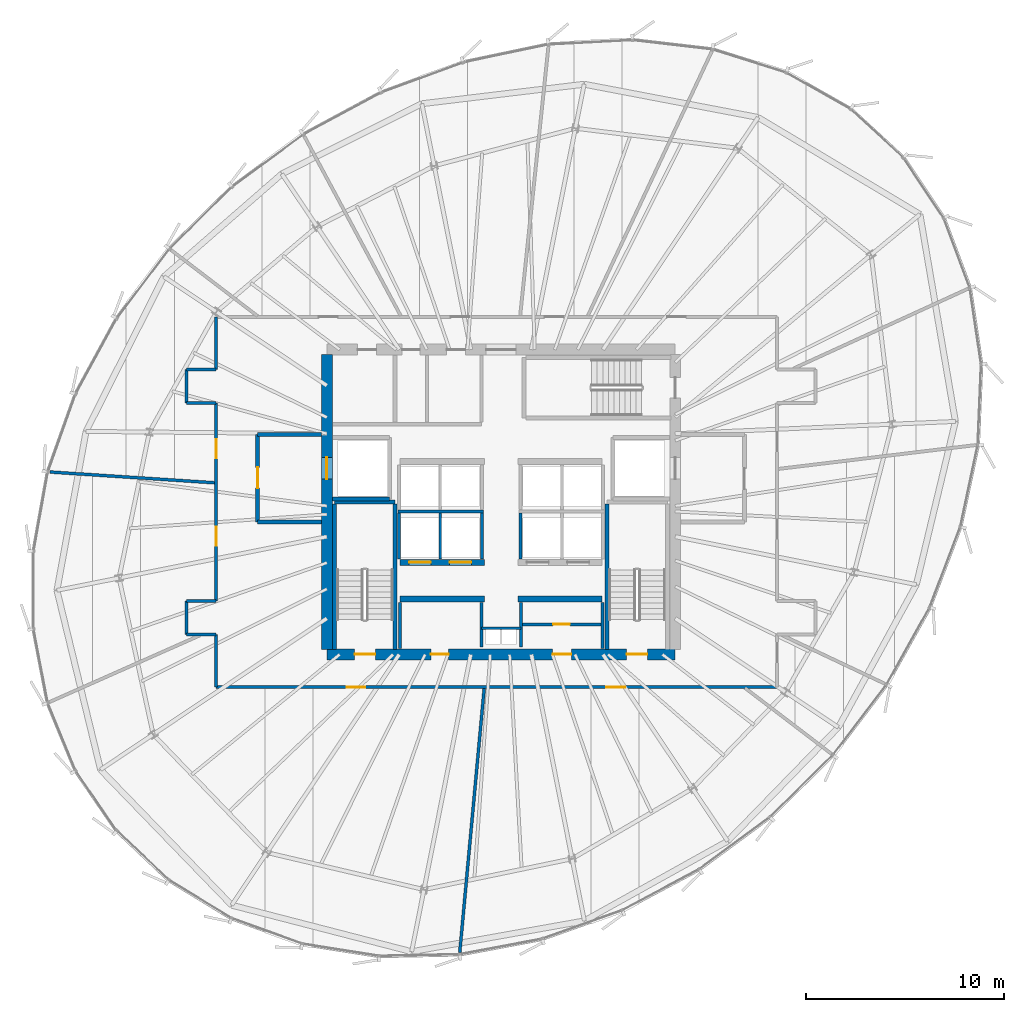
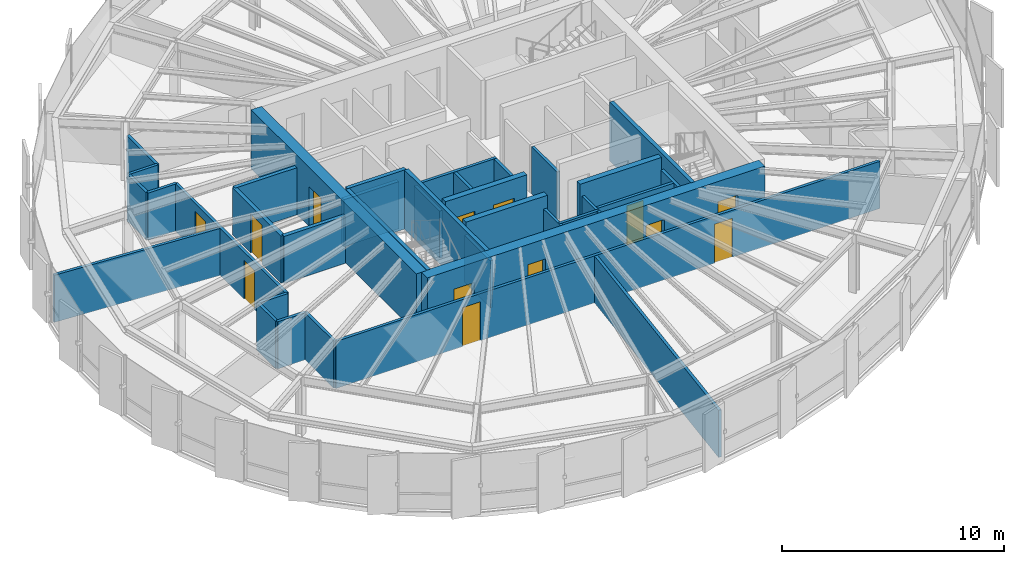
# One storey, part 31 of 36: 36 walls, 13 doors, 13 openings.
"""IFC4 building model written with IfcOpenShell, lengths in metres."""

from ifc_helpers import new_model, si_unit, direction, frame, frame_2d, origin, place, context, subcontext, project, spatial, rectangle, extrude, source, transform, mapped, material, layer, layer_set, type_object, element, fill, save


model = new_model("IFC4")

# Units and contexts
model_context = context("Model", 3, precision=1e-05, world=origin(), true_north=direction((0.0, 1.0)))
body_context = subcontext(model_context, "Body", "Model", "MODEL_VIEW")
ifc_project = project(units=[si_unit("LENGTHUNIT", "METRE"), si_unit("AREAUNIT", "SQUARE_METRE"), si_unit("VOLUMEUNIT", "CUBIC_METRE"), si_unit("PLANEANGLEUNIT", "RADIAN"), si_unit("MASSUNIT", "GRAM", prefix="KILO"), si_unit("THERMODYNAMICTEMPERATUREUNIT", "KELVIN")], contexts=[model_context])

# Site, building, storey
site_placement = place(None, origin())
site = spatial("IfcSite", under=ifc_project, at=site_placement, CompositionType="ELEMENT")
building_placement = place(site_placement, origin())
building = spatial("IfcBuilding", under=site, at=building_placement, Name="Kethvar Cultural Tower", CompositionType="ELEMENT")
storey_placement = place(building_placement, frame((0.0, 0.0, 197.39990234375)))
storey = spatial("IfcBuildingStorey", under=building, at=storey_placement, Name="L51", CompositionType="ELEMENT", Elevation=197.39990234375)

# Wall, openings, doors
ifc_material_1 = material(Name="Concrete C60/75", Category="concrete")
ifc_layer_1 = layer(ifc_material_1, 0.550048828125, Name="Concrete C60/75", Category="concrete")
ifc_layer_set_1 = layer_set([ifc_layer_1], Name="Concrete C60/75 (550 mm)")
wall_type_1 = type_object("IfcWallType", Name="WL-CORE-550", PredefinedType="SHEAR", material=ifc_layer_set_1)
wall_1_placement = place(storey_placement, frame((38.0, 20.10009765625, 0.0), z_axis=(0.0, 0.0, 1.0), x_axis=(1.0, 0.0, 0.0)))
wall_1 = element("IfcWall", 1, at=wall_1_placement, inside=storey, type_object=wall_type_1, Name="L51 Core Shear Wall S", PredefinedType="SHEAR", context=body_context, shape_type="SweptSolid", body=[
    extrude(rectangle(XDim=17.60009765625, YDim=0.550048828125, at=frame_2d((8.800048828125, 0.0))), origin(), (0.0, 0.0, 1.0), 3.260009765625),
])
opening_1_placement = place(wall_1_placement, frame((1.39990234375, 0.0, 0.0)))
opening_1 = element("IfcOpeningElement", 2, at=opening_1_placement, cuts=wall_1, Name="Opening D-L51-S1", PredefinedType="OPENING", context=body_context, shape_type="SweptSolid", body=[
    extrude(rectangle(XDim=1.050048828125, YDim=2.14990234375, at=frame_2d((0.52490234375, 1.074951171875))), frame((0.0, 0.284912109375, 0.0), z_axis=(0.0, -1.0, 0.0), x_axis=(1.0, 0.0, 0.0)), (0.0, 0.0, 1.0), 0.570068359375),
])
opening_2_placement = place(wall_1_placement, frame((15.14990234375, 0.0, 0.0)))
opening_2 = element("IfcOpeningElement", 3, at=opening_2_placement, cuts=wall_1, Name="Opening D-L51-ST2", PredefinedType="OPENING", context=body_context, shape_type="SweptSolid", body=[
    extrude(rectangle(XDim=1.050048828125, YDim=2.14990234375, at=frame_2d((0.52490234375, 1.074951171875))), frame((0.0, 0.284912109375, 0.0), z_axis=(0.0, -1.0, 0.0), x_axis=(1.0, 0.0, 0.0)), (0.0, 0.0, 1.0), 0.570068359375),
])
opening_3_placement = place(wall_1_placement, frame((5.25, 0.0, 0.0)))
opening_3 = element("IfcOpeningElement", 4, at=opening_3_placement, cuts=wall_1, Name="Opening D-L51-V1", PredefinedType="OPENING", context=body_context, shape_type="SweptSolid", body=[
    extrude(rectangle(XDim=0.89990234375, YDim=2.14990234375, at=frame_2d((0.449951171875, 1.074951171875))), frame((0.0, 0.284912109375, 0.0), z_axis=(0.0, -1.0, 0.0), x_axis=(1.0, 0.0, 0.0)), (0.0, 0.0, 1.0), 0.570068359375),
])
opening_4_placement = place(wall_1_placement, frame((11.39990234375, 0.0, 0.0)))
opening_4 = element("IfcOpeningElement", 5, at=opening_4_placement, cuts=wall_1, Name="Opening D-L51-V2", PredefinedType="OPENING", context=body_context, shape_type="SweptSolid", body=[
    extrude(rectangle(XDim=0.949951171875, YDim=2.14990234375, at=frame_2d((0.47509765625, 1.074951171875))), frame((0.0, 0.284912109375, 0.0), z_axis=(0.0, -1.0, 0.0), x_axis=(1.0, 0.0, 0.0)), (0.0, 0.0, 1.0), 0.570068359375),
])
ifc_material_2 = material(Name="Steel S355J2", Category="steel")
door_type_1 = type_object("IfcDoorType", Name="DR-FD60-1050", OperationType="NOTDEFINED", PredefinedType="DOOR", material=ifc_material_2)
shared_shape_1 = source(origin(), body_context, "Body", "SweptSolid", [
    extrude(rectangle(XDim=1.050048828125, YDim=2.14990234375, at=frame_2d((0.52490234375, 1.074951171875))), frame((0.0, 0.02490234375, 0.0), z_axis=(0.0, -1.0, 0.0), x_axis=(1.0, 0.0, 0.0)), (0.0, 0.0, 1.0), 0.050048828125),
])
door_1_placement = place(opening_1_placement, origin())
door_1 = element("IfcDoor", 6, at=door_1_placement, inside=storey, type_object=door_type_1, Name="L51 Exit Stair 1 Door", OperationType="SINGLE_SWING_LEFT", OverallHeight=2.14990234375, OverallWidth=1.050048828125, PredefinedType="DOOR", context=body_context, shape_type="MappedRepresentation", body=[
    mapped(shared_shape_1, transform((0.0, 0.0, 0.0), scale=1.0)),
])
fill(opening_1, door_1)
door_2_placement = place(opening_2_placement, origin())
door_2 = element("IfcDoor", 7, at=door_2_placement, inside=storey, type_object=door_type_1, Name="L51 Exit Stair 2 Door", OperationType="SINGLE_SWING_RIGHT", OverallHeight=2.14990234375, OverallWidth=1.050048828125, PredefinedType="DOOR", context=body_context, shape_type="MappedRepresentation", body=[
    mapped(shared_shape_1, transform((0.0, 0.0, 0.0), scale=1.0)),
])
fill(opening_2, door_2)
ifc_material_3 = material(Name="Architectural Oak Timber", Category="wood")
door_type_2 = type_object("IfcDoorType", Name="DR-FD30-950", OperationType="NOTDEFINED", PredefinedType="DOOR", material=ifc_material_3)
shared_shape_2 = source(origin(), body_context, "Body", "SweptSolid", [
    extrude(rectangle(XDim=0.949951171875, YDim=2.14990234375, at=frame_2d((0.47509765625, 1.074951171875))), frame((0.0, 0.02490234375, 0.0), z_axis=(0.0, -1.0, 0.0), x_axis=(1.0, 0.0, 0.0)), (0.0, 0.0, 1.0), 0.050048828125),
])
door_3_placement = place(opening_4_placement, origin())
door_3 = element("IfcDoor", 8, at=door_3_placement, inside=storey, type_object=door_type_2, Name="L51 Bindery Supply Door", OperationType="SINGLE_SWING_RIGHT", OverallHeight=2.14990234375, OverallWidth=0.949951171875, PredefinedType="DOOR", context=body_context, shape_type="MappedRepresentation", body=[
    mapped(shared_shape_2, transform((0.0, 0.0, 0.0), scale=1.0)),
])
fill(opening_4, door_3)
door_type_3 = type_object("IfcDoorType", Name="DR-FD30-900", OperationType="NOTDEFINED", PredefinedType="DOOR", material=ifc_material_3)
shared_shape_3 = source(origin(), body_context, "Body", "SweptSolid", [
    extrude(rectangle(XDim=0.89990234375, YDim=2.14990234375, at=frame_2d((0.449951171875, 1.074951171875))), frame((0.0, 0.02490234375, 0.0), z_axis=(0.0, -1.0, 0.0), x_axis=(1.0, 0.0, 0.0)), (0.0, 0.0, 1.0), 0.050048828125),
])
door_4_placement = place(opening_3_placement, origin())
door_4 = element("IfcDoor", 9, at=door_4_placement, inside=storey, type_object=door_type_3, Name="L51 Folio Vault Door", OperationType="SINGLE_SWING_LEFT", OverallHeight=2.14990234375, OverallWidth=0.89990234375, PredefinedType="DOOR", context=body_context, shape_type="MappedRepresentation", body=[
    mapped(shared_shape_3, transform((0.0, 0.0, 0.0), scale=1.0)),
])
fill(opening_3, door_4)

# Wall, opening, door
wall_2_placement = place(storey_placement, frame((38.0, 35.260009765625, 0.0), z_axis=(0.0, 0.0, 1.0), x_axis=(0.0, -1.0, 0.0)))
wall_2 = element("IfcWall", 10, at=wall_2_placement, inside=storey, type_object=wall_type_1, Name="L51 Core Shear Wall W", PredefinedType="SHEAR", context=body_context, shape_type="SweptSolid", body=[
    extrude(rectangle(XDim=14.919921875, YDim=0.550048828125, at=frame_2d((7.4599609375, 0.0))), origin(), (0.0, 0.0, 1.0), 3.260009765625),
])
opening_5_placement = place(wall_2_placement, frame((5.2099609375, 0.0, 0.0)))
opening_5 = element("IfcOpeningElement", 11, at=opening_5_placement, cuts=wall_2, Name="Opening LD-1", PredefinedType="OPENING", context=body_context, shape_type="SweptSolid", body=[
    extrude(rectangle(XDim=1.10009765625, YDim=2.199951171875, at=frame_2d((0.550048828125, 1.10009765625))), frame((0.0, 0.284912109375, 0.0), z_axis=(0.0, -1.0, 0.0), x_axis=(1.0, 0.0, 0.0)), (0.0, 0.0, 1.0), 0.570068359375),
])
door_type_4 = type_object("IfcDoorType", Name="DR-LIFT-SLIDE-1100", OperationType="NOTDEFINED", PredefinedType="DOOR", material=ifc_material_2)
shared_shape_4 = source(origin(), body_context, "Body", "SweptSolid", [
    extrude(rectangle(XDim=1.10009765625, YDim=2.199951171875, at=frame_2d((0.550048828125, 1.10009765625))), frame((0.0, 0.02490234375, 0.0), z_axis=(0.0, -1.0, 0.0), x_axis=(1.0, 0.0, 0.0)), (0.0, 0.0, 1.0), 0.050048828125),
])
door_5_placement = place(opening_5_placement, origin())
door_5 = element("IfcDoor", 12, at=door_5_placement, inside=storey, type_object=door_type_4, Name="L51 Firefighting Lift Landing Door FFL-01", OperationType="SLIDING_TO_LEFT", OverallHeight=2.199951171875, OverallWidth=1.10009765625, PredefinedType="DOOR", context=body_context, shape_type="MappedRepresentation", body=[
    mapped(shared_shape_4, transform((0.0, 0.0, 0.0), scale=1.0)),
])
fill(opening_5, door_5)

# Walls
ifc_material_4 = material(Name="Gypsum Fireboard Partition")
ifc_layer_2 = layer(ifc_material_4, 0.14990234375, Name="Gypsum Fireboard Partition")
ifc_layer_set_2 = layer_set([ifc_layer_2], Name="Gypsum Fireboard Partition (150 mm)")
wall_type_2 = type_object("IfcWallType", Name="WL-FIRE-150", PredefinedType="PARTITIONING", material=ifc_layer_set_2)
wall_3_placement = place(storey_placement, frame((45.800048828125, 21.419921875, 0.0), z_axis=(0.0, 0.0, 1.0), x_axis=(1.0, 0.0, 0.0)))
element("IfcWall", 13, at=wall_3_placement, inside=storey, type_object=wall_type_2, Name="L51 Core Riser Wall", PredefinedType="PARTITIONING", context=body_context, shape_type="SweptSolid", body=[
    extrude(rectangle(XDim=2.0, YDim=0.14990234375, at=frame_2d((1.0, 0.0))), origin(), (0.0, 0.0, 1.0), 2.59521484375),
])
for number, where, z_axis, x_axis, name in (
    (14, (45.800048828125, 20.47998046875, 0.0), (0.0, 0.0, 1.0), (0.0, 1.0, 0.0), "L51 Core Riser West Wall"),
    (15, (47.800048828125, 20.47998046875, 0.0), (0.0, 0.0, 1.0), (0.0, 1.0, 0.0), "L51 Core Riser East Wall"),
):
    element("IfcWall", number, at=place(storey_placement, frame(where, z_axis=z_axis, x_axis=x_axis)), inside=storey, type_object=wall_type_2, Name=name, PredefinedType="PARTITIONING", context=body_context, shape_type="SweptSolid", body=[
        extrude(rectangle(XDim=2.239990234375, YDim=0.14990234375, at=frame_2d((1.1201171875, 0.0))), origin(), (0.0, 0.0, 1.0), 2.59521484375),
    ])
for number, where, z_axis, x_axis, name in (
    (16, (41.679931640625, 20.385009765625, 0.0), (0.0, 0.0, 1.0), (0.0, 1.0, 0.0), "L51 Reclaimed West Outer Wall"),
    (17, (51.919921875, 20.385009765625, 0.0), (0.0, 0.0, 1.0), (0.0, 1.0, 0.0), "L51 Reclaimed East Outer Wall"),
):
    element("IfcWall", number, at=place(storey_placement, frame(where, z_axis=z_axis, x_axis=x_axis)), inside=storey, type_object=wall_type_2, Name=name, PredefinedType="PARTITIONING", context=body_context, shape_type="SweptSolid", body=[
        extrude(rectangle(XDim=2.344970703125, YDim=0.14990234375, at=frame_2d((1.17236328125, 0.0))), origin(), (0.0, 0.0, 1.0), 2.59521484375),
    ])

# Wall, opening, door
wall_4_placement = place(storey_placement, frame((47.8798828125, 21.6201171875, 0.0), z_axis=(0.0, 0.0, 1.0), x_axis=(1.0, 0.0, 0.0)))
wall_4 = element("IfcWall", 18, at=wall_4_placement, inside=storey, type_object=wall_type_2, Name="L51 Pantry Gallery Wall E", PredefinedType="PARTITIONING", context=body_context, shape_type="SweptSolid", body=[
    extrude(rectangle(XDim=3.960205078125, YDim=0.14990234375, at=frame_2d((1.97998046875, 0.0))), origin(), (0.0, 0.0, 1.0), 2.59521484375),
])
opening_6_placement = place(wall_4_placement, frame((1.550048828125, 0.0, 0.0)))
opening_6 = element("IfcOpeningElement", 19, at=opening_6_placement, cuts=wall_4, Name="Opening D-L51-V3", PredefinedType="OPENING", context=body_context, shape_type="SweptSolid", body=[
    extrude(rectangle(XDim=0.85009765625, YDim=2.14990234375, at=frame_2d((0.425048828125, 1.074951171875))), frame((0.0, 0.0849609375, 0.0), z_axis=(0.0, -1.0, 0.0), x_axis=(1.0, 0.0, 0.0)), (0.0, 0.0, 1.0), 0.169921875),
])
door_type_5 = type_object("IfcDoorType", Name="DR-FD30-850", OperationType="NOTDEFINED", PredefinedType="DOOR", material=ifc_material_2)
shared_shape_5 = source(origin(), body_context, "Body", "SweptSolid", [
    extrude(rectangle(XDim=0.85009765625, YDim=2.14990234375, at=frame_2d((0.425048828125, 1.074951171875))), frame((0.0, 0.02490234375, 0.0), z_axis=(0.0, -1.0, 0.0), x_axis=(1.0, 0.0, 0.0)), (0.0, 0.0, 1.0), 0.050048828125),
])
door_6_placement = place(opening_6_placement, origin())
door_6 = element("IfcDoor", 20, at=door_6_placement, inside=storey, type_object=door_type_5, Name="L51 Inner Pantry Gallery Door", OperationType="SINGLE_SWING_RIGHT", OverallHeight=2.14990234375, OverallWidth=0.85009765625, PredefinedType="DOOR", context=body_context, shape_type="MappedRepresentation", body=[
    mapped(shared_shape_5, transform((0.0, 0.0, 0.0), scale=1.0)),
])
fill(opening_6, door_6)

# Walls
wall_5_placement = place(storey_placement, frame((41.580078125, 27.324951171875, 0.0), z_axis=(0.0, 0.0, 1.0), x_axis=(1.0, 0.0, 0.0)))
element("IfcWall", 21, at=wall_5_placement, inside=storey, type_object=wall_type_2, Name="L51 Mid-High Lift Shaft Back Wall W", PredefinedType="PARTITIONING", context=body_context, shape_type="SweptSolid", body=[
    extrude(rectangle(XDim=4.31982421875, YDim=0.14990234375, at=frame_2d((2.159912109375, 0.0))), origin(), (0.0, 0.0, 1.0), 2.59521484375),
])
for number, where, z_axis, x_axis, name in (
    (22, (41.64990234375, 24.919921875, 0.0), (0.0, 0.0, 1.0), (0.0, 1.0, 0.0), "L51 Mid-Rise Lift Shaft Outer Wall W"),
    (23, (43.72509765625, 24.919921875, 0.0), (0.0, 0.0, 1.0), (0.0, 1.0, 0.0), "L51 Mid-Rise Lift Shaft Divider W"),
    (24, (45.824951171875, 24.919921875, 0.0), (0.0, 0.0, 1.0), (0.0, 1.0, 0.0), "L51 Mid-Rise Lift Shaft Concourse Wall W"),
    (25, (47.77490234375, 24.919921875, 0.0), (0.0, 0.0, 1.0), (0.0, 1.0, 0.0), "L51 Mid-Rise Lift Shaft Concourse Wall E"),
):
    element("IfcWall", number, at=place(storey_placement, frame(where, z_axis=z_axis, x_axis=x_axis)), inside=storey, type_object=wall_type_2, Name=name, PredefinedType="PARTITIONING", context=body_context, shape_type="SweptSolid", body=[
        extrude(rectangle(XDim=2.320068359375, YDim=0.14990234375, at=frame_2d((1.16015625, 0.0))), origin(), (0.0, 0.0, 1.0), 2.59521484375),
    ])

# Wall, openings, doors
wall_6_placement = place(storey_placement, frame((32.39990234375, 18.449951171875, 0.0), z_axis=(0.0, 0.0, 1.0), x_axis=(1.0, 0.0, 0.0)))
wall_6 = element("IfcWall", 26, at=wall_6_placement, inside=storey, type_object=wall_type_2, Name="L51 Corridor Rated Wall S", PredefinedType="PARTITIONING", context=body_context, shape_type="SweptSolid", body=[
    extrude(rectangle(XDim=28.35009765625, YDim=0.14990234375, at=frame_2d((14.175048828125, 0.0))), origin(), (0.0, 0.0, 1.0), 2.59521484375),
])
opening_7_placement = place(wall_6_placement, frame((6.59228515625, 0.0, 0.0)))
opening_7 = element("IfcOpeningElement", 27, at=opening_7_placement, cuts=wall_6, Name="Opening D-L51-01", PredefinedType="OPENING", context=body_context, shape_type="SweptSolid", body=[
    extrude(rectangle(XDim=0.949951171875, YDim=2.14990234375, at=frame_2d((0.47509765625, 1.074951171875))), frame((0.0, 0.0849609375, 0.0), z_axis=(0.0, -1.0, 0.0), x_axis=(1.0, 0.0, 0.0)), (0.0, 0.0, 1.0), 0.169921875),
])
opening_8_placement = place(wall_6_placement, frame((19.724609375, 0.0, 0.0)))
opening_8 = element("IfcOpeningElement", 28, at=opening_8_placement, cuts=wall_6, Name="Opening D-L51-02", PredefinedType="OPENING", context=body_context, shape_type="SweptSolid", body=[
    extrude(rectangle(XDim=0.949951171875, YDim=2.14990234375, at=frame_2d((0.47509765625, 1.074951171875))), frame((0.0, 0.0849609375, 0.0), z_axis=(0.0, -1.0, 0.0), x_axis=(1.0, 0.0, 0.0)), (0.0, 0.0, 1.0), 0.169921875),
])
door_7_placement = place(opening_7_placement, origin())
door_7 = element("IfcDoor", 29, at=door_7_placement, inside=storey, type_object=door_type_2, Name="L51 Policy Research Workspace 01 Door", OperationType="SINGLE_SWING_RIGHT", OverallHeight=2.14990234375, OverallWidth=0.949951171875, PredefinedType="DOOR", context=body_context, shape_type="MappedRepresentation", body=[
    mapped(shared_shape_2, transform((0.0, 0.0, 0.0), scale=1.0)),
])
fill(opening_7, door_7)
door_8_placement = place(opening_8_placement, origin())
door_8 = element("IfcDoor", 30, at=door_8_placement, inside=storey, type_object=door_type_2, Name="L51 Fellows' Study Workspace 02 Door", OperationType="SINGLE_SWING_LEFT", OverallHeight=2.14990234375, OverallWidth=0.949951171875, PredefinedType="DOOR", context=body_context, shape_type="MappedRepresentation", body=[
    mapped(shared_shape_2, transform((0.0, 0.0, 0.0), scale=1.0)),
])
fill(opening_8, door_8)

# Walls
wall_7_placement = place(storey_placement, frame((32.39990234375, 37.14990234375, 0.0), z_axis=(0.0, 0.0, 1.0), x_axis=(0.0, -1.0, 0.0)))
element("IfcWall", 31, at=wall_7_placement, inside=storey, type_object=wall_type_2, Name="L51 Corridor Rated Wall W2", PredefinedType="PARTITIONING", context=body_context, shape_type="SweptSolid", body=[
    extrude(rectangle(XDim=2.64990234375, YDim=0.14990234375, at=frame_2d((1.324951171875, 0.0))), origin(), (0.0, 0.0, 1.0), 2.59521484375),
])
wall_8_placement = place(storey_placement, frame((32.39990234375, 34.5, 0.0), z_axis=(0.0, 0.0, 1.0), x_axis=(-1.0, 0.0, 0.0)))
element("IfcWall", 32, at=wall_8_placement, inside=storey, type_object=wall_type_2, Name="L51 Corridor Rated Wall WNT", PredefinedType="PARTITIONING", context=body_context, shape_type="SweptSolid", body=[
    extrude(rectangle(XDim=1.5, YDim=0.14990234375, at=frame_2d((0.75, 0.0))), origin(), (0.0, 0.0, 1.0), 2.59521484375),
])
wall_9_placement = place(storey_placement, frame((30.89990234375, 34.5, 0.0), z_axis=(0.0, 0.0, 1.0), x_axis=(0.0, -1.0, 0.0)))
element("IfcWall", 33, at=wall_9_placement, inside=storey, type_object=wall_type_2, Name="L51 Corridor Rated Wall WN", PredefinedType="PARTITIONING", context=body_context, shape_type="SweptSolid", body=[
    extrude(rectangle(XDim=1.699951171875, YDim=0.14990234375, at=frame_2d((0.85009765625, 0.0))), origin(), (0.0, 0.0, 1.0), 2.59521484375),
])
wall_10_placement = place(storey_placement, frame((30.89990234375, 32.800048828125, 0.0), z_axis=(0.0, 0.0, 1.0), x_axis=(1.0, 0.0, 0.0)))
element("IfcWall", 34, at=wall_10_placement, inside=storey, type_object=wall_type_2, Name="L51 Corridor Rated Wall WNB", PredefinedType="PARTITIONING", context=body_context, shape_type="SweptSolid", body=[
    extrude(rectangle(XDim=1.5, YDim=0.14990234375, at=frame_2d((0.75, 0.0))), origin(), (0.0, 0.0, 1.0), 2.59521484375),
])

# Wall, openings, doors
wall_11_placement = place(storey_placement, frame((32.39990234375, 32.800048828125, 0.0), z_axis=(0.0, 0.0, 1.0), x_axis=(0.0, -1.0, 0.0)))
wall_11 = element("IfcWall", 35, at=wall_11_placement, inside=storey, type_object=wall_type_2, Name="L51 Corridor Rated Wall WM", PredefinedType="PARTITIONING", context=body_context, shape_type="SweptSolid", body=[
    extrude(rectangle(XDim=10.0, YDim=0.14990234375, at=frame_2d((5.0, 0.0))), origin(), (0.0, 0.0, 1.0), 2.59521484375),
])
opening_9_placement = place(wall_11_placement, frame((1.83251953125, 0.0, 0.0)))
opening_9 = element("IfcOpeningElement", 36, at=opening_9_placement, cuts=wall_11, Name="Opening D-L51-10", PredefinedType="OPENING", context=body_context, shape_type="SweptSolid", body=[
    extrude(rectangle(XDim=0.949951171875, YDim=2.14990234375, at=frame_2d((0.47509765625, 1.074951171875))), frame((0.0, 0.0849609375, 0.0), z_axis=(0.0, -1.0, 0.0), x_axis=(1.0, 0.0, 0.0)), (0.0, 0.0, 1.0), 0.169921875),
])
opening_10_placement = place(wall_11_placement, frame((6.25244140625, 0.0, 0.0)))
opening_10 = element("IfcOpeningElement", 37, at=opening_10_placement, cuts=wall_11, Name="Opening D-L51-11", PredefinedType="OPENING", context=body_context, shape_type="SweptSolid", body=[
    extrude(rectangle(XDim=0.949951171875, YDim=2.14990234375, at=frame_2d((0.47509765625, 1.074951171875))), frame((0.0, 0.0849609375, 0.0), z_axis=(0.0, -1.0, 0.0), x_axis=(1.0, 0.0, 0.0)), (0.0, 0.0, 1.0), 0.169921875),
])
door_9_placement = place(opening_9_placement, origin())
door_9 = element("IfcDoor", 38, at=door_9_placement, inside=storey, type_object=door_type_2, Name="L51 Patron Reception 10 Door", OperationType="SINGLE_SWING_LEFT", OverallHeight=2.14990234375, OverallWidth=0.949951171875, PredefinedType="DOOR", context=body_context, shape_type="MappedRepresentation", body=[
    mapped(shared_shape_2, transform((0.0, 0.0, 0.0), scale=1.0)),
])
fill(opening_9, door_9)
door_10_placement = place(opening_10_placement, origin())
door_10 = element("IfcDoor", 39, at=door_10_placement, inside=storey, type_object=door_type_2, Name="L51 First Aid Room 11 Door", OperationType="SINGLE_SWING_RIGHT", OverallHeight=2.14990234375, OverallWidth=0.949951171875, PredefinedType="DOOR", context=body_context, shape_type="MappedRepresentation", body=[
    mapped(shared_shape_2, transform((0.0, 0.0, 0.0), scale=1.0)),
])
fill(opening_10, door_10)

# Walls
wall_12_placement = place(storey_placement, frame((32.39990234375, 22.800048828125, 0.0), z_axis=(0.0, 0.0, 1.0), x_axis=(-1.0, 0.0, 0.0)))
element("IfcWall", 40, at=wall_12_placement, inside=storey, type_object=wall_type_2, Name="L51 Corridor Rated Wall WST", PredefinedType="PARTITIONING", context=body_context, shape_type="SweptSolid", body=[
    extrude(rectangle(XDim=1.5, YDim=0.14990234375, at=frame_2d((0.75, 0.0))), origin(), (0.0, 0.0, 1.0), 2.59521484375),
])
wall_13_placement = place(storey_placement, frame((30.89990234375, 22.800048828125, 0.0), z_axis=(0.0, 0.0, 1.0), x_axis=(0.0, -1.0, 0.0)))
element("IfcWall", 41, at=wall_13_placement, inside=storey, type_object=wall_type_2, Name="L51 Corridor Rated Wall WS", PredefinedType="PARTITIONING", context=body_context, shape_type="SweptSolid", body=[
    extrude(rectangle(XDim=1.699951171875, YDim=0.14990234375, at=frame_2d((0.85009765625, 0.0))), origin(), (0.0, 0.0, 1.0), 2.59521484375),
])
wall_14_placement = place(storey_placement, frame((30.89990234375, 21.10009765625, 0.0), z_axis=(0.0, 0.0, 1.0), x_axis=(1.0, 0.0, 0.0)))
element("IfcWall", 42, at=wall_14_placement, inside=storey, type_object=wall_type_2, Name="L51 Corridor Rated Wall WSB", PredefinedType="PARTITIONING", context=body_context, shape_type="SweptSolid", body=[
    extrude(rectangle(XDim=1.5, YDim=0.14990234375, at=frame_2d((0.75, 0.0))), origin(), (0.0, 0.0, 1.0), 2.59521484375),
])
wall_15_placement = place(storey_placement, frame((32.39990234375, 21.10009765625, 0.0), z_axis=(0.0, 0.0, 1.0), x_axis=(0.0, -1.0, 0.0)))
element("IfcWall", 43, at=wall_15_placement, inside=storey, type_object=wall_type_2, Name="L51 Corridor Rated Wall W1", PredefinedType="PARTITIONING", context=body_context, shape_type="SweptSolid", body=[
    extrude(rectangle(XDim=2.650146484375, YDim=0.14990234375, at=frame_2d((1.3251953125, 0.0))), origin(), (0.0, 0.0, 1.0), 2.59521484375),
])
ifc_material_5 = material(Name="Concrete C40/50", Category="concrete")
ifc_layer_3 = layer(ifc_material_5, 0.199951171875, Name="Concrete C40/50", Category="concrete")
ifc_layer_set_3 = layer_set([ifc_layer_3], Name="Concrete C40/50 (200 mm)")
wall_type_3 = type_object("IfcWallType", Name="WL-FIRE-200", PredefinedType="PARTITIONING", material=ifc_layer_set_3)
wall_16_placement = place(storey_placement, frame((38.284912109375, 27.949951171875, 0.0), z_axis=(0.0, 0.0, 1.0), x_axis=(1.0, 0.0, 0.0)))
element("IfcWall", 44, at=wall_16_placement, inside=storey, type_object=wall_type_3, Name="L51 FFL-01 Shaft South Wall", PredefinedType="PARTITIONING", context=body_context, shape_type="SweptSolid", body=[
    extrude(rectangle(XDim=2.864990234375, YDim=0.199951171875, at=frame_2d((1.4326171875, 0.0))), origin(), (0.0, 0.0, 1.0), 2.59521484375),
])

# Wall, opening, door
wall_17_placement = place(storey_placement, frame((34.5, 31.199951171875, 0.0), z_axis=(0.0, 0.0, 1.0), x_axis=(0.0, -1.0, 0.0)))
wall_17 = element("IfcWall", 45, at=wall_17_placement, inside=storey, type_object=wall_type_3, Name="L51 Firefighting Lobby 1 Wall", PredefinedType="PARTITIONING", context=body_context, shape_type="SweptSolid", body=[
    extrude(rectangle(XDim=4.39990234375, YDim=0.199951171875, at=frame_2d((2.199951171875, 0.0))), origin(), (0.0, 0.0, 1.0), 2.59521484375),
])
opening_11_placement = place(wall_17_placement, frame((1.64990234375, 0.0, 0.0)))
opening_11 = element("IfcOpeningElement", 46, at=opening_11_placement, cuts=wall_17, Name="Opening D-L51-F1", PredefinedType="OPENING", context=body_context, shape_type="SweptSolid", body=[
    extrude(rectangle(XDim=1.050048828125, YDim=2.14990234375, at=frame_2d((0.52490234375, 1.074951171875))), frame((0.0, 0.10986328125, 0.0), z_axis=(0.0, -1.0, 0.0), x_axis=(1.0, 0.0, 0.0)), (0.0, 0.0, 1.0), 0.219970703125),
])
door_11_placement = place(opening_11_placement, origin())
door_11 = element("IfcDoor", 47, at=door_11_placement, inside=storey, type_object=door_type_1, Name="L51 Firefighting Lobby 1 Fire Door", OperationType="SINGLE_SWING_LEFT", OverallHeight=2.14990234375, OverallWidth=1.050048828125, PredefinedType="DOOR", context=body_context, shape_type="MappedRepresentation", body=[
    mapped(shared_shape_1, transform((0.0, 0.0, 0.0), scale=1.0)),
])
fill(opening_11, door_11)

# Walls
for number, where, z_axis, x_axis, name in (
    (48, (34.5, 26.800048828125, 0.0), (0.0, 0.0, 1.0), (1.0, 0.0, 0.0), "L51 FF Lobby 1 South Wall"),
    (49, (34.5, 31.199951171875, 0.0), (0.0, 0.0, 1.0), (1.0, 0.0, 0.0), "L51 FF Lobby 1 North Wall"),
):
    element("IfcWall", number, at=place(storey_placement, frame(where, z_axis=z_axis, x_axis=x_axis)), inside=storey, type_object=wall_type_3, Name=name, PredefinedType="PARTITIONING", context=body_context, shape_type="SweptSolid", body=[
        extrude(rectangle(XDim=3.215087890625, YDim=0.199951171875, at=frame_2d((1.607421875, 0.0))), origin(), (0.0, 0.0, 1.0), 2.59521484375),
    ])
ifc_material_6 = material(Name="Gypsum Acoustic Partition")
ifc_layer_4 = layer(ifc_material_6, 0.14990234375, Name="Gypsum Acoustic Partition")
ifc_layer_set_4 = layer_set([ifc_layer_4], Name="Gypsum Acoustic Partition (150 mm)")
wall_type_4 = type_object("IfcWallType", Name="WL-PART-150", PredefinedType="PARTITIONING", material=ifc_layer_set_4)
wall_18_placement = place(storey_placement, frame((45.947021484375, 18.370361328125, 0.0), z_axis=(0.0, 0.0, 1.0), x_axis=(-0.092260145088, -0.995734937435, 0.0)))
element("IfcWall", 50, at=wall_18_placement, inside=storey, type_object=wall_type_4, Name="L51 Radial Partition Wall 02", PredefinedType="PARTITIONING", context=body_context, shape_type="SweptSolid", body=[
    extrude(rectangle(XDim=13.389892578125, YDim=0.14990234375, at=frame_2d((6.69482421875, 0.0))), origin(), (0.0, 0.0, 1.0), 2.59521484375),
])
wall_19_placement = place(storey_placement, frame((32.3203125, 28.77001953125, 0.0), z_axis=(0.0, 0.0, 1.0), x_axis=(-0.997858734146, 0.06540601416, 0.0)))
element("IfcWall", 51, at=wall_19_placement, inside=storey, type_object=wall_type_4, Name="L51 Radial Partition Wall 11", PredefinedType="PARTITIONING", context=body_context, shape_type="SweptSolid", body=[
    extrude(rectangle(XDim=8.342529296875, YDim=0.14990234375, at=frame_2d((4.17138671875, 0.0))), origin(), (0.0, 0.0, 1.0), 2.59521484375),
])
ifc_material_7 = material(Name="Concrete C50/60", Category="concrete")
ifc_layer_5 = layer(ifc_material_7, 0.300048828125, Name="Concrete C50/60", Category="concrete")
ifc_layer_set_5 = layer_set([ifc_layer_5], Name="Concrete C50/60 (300 mm)")
wall_type_5 = type_object("IfcWallType", Name="WL-SHAFT-300", PredefinedType="SHEAR", material=ifc_layer_set_5)
for number, where, z_axis, x_axis, name in (
    (52, (41.699951171875, 22.89990234375, 0.0), (0.0, 0.0, 1.0), (1.0, 0.0, 0.0), "L51 Core Lift Spine Wall MID1W"),
    (53, (47.64990234375, 22.89990234375, 0.0), (0.0, 0.0, 1.0), (1.0, 0.0, 0.0), "L51 Core Lift Spine Wall MID1E"),
):
    element("IfcWall", number, at=place(storey_placement, frame(where, z_axis=z_axis, x_axis=x_axis)), inside=storey, type_object=wall_type_5, Name=name, PredefinedType="SHEAR", context=body_context, shape_type="SweptSolid", body=[
        extrude(rectangle(XDim=4.25, YDim=0.300048828125, at=frame_2d((2.125, 0.0))), origin(), (0.0, 0.0, 1.0), 3.260009765625),
    ])

# Wall, openings, doors
wall_20_placement = place(storey_placement, frame((41.699951171875, 24.75, 0.0), z_axis=(0.0, 0.0, 1.0), x_axis=(1.0, 0.0, 0.0)))
wall_20 = element("IfcWall", 54, at=wall_20_placement, inside=storey, type_object=wall_type_5, Name="L51 Core Lift Spine Wall MID2W", PredefinedType="SHEAR", context=body_context, shape_type="SweptSolid", body=[
    extrude(rectangle(XDim=4.25, YDim=0.300048828125, at=frame_2d((2.125, 0.0))), origin(), (0.0, 0.0, 1.0), 3.260009765625),
])
opening_12_placement = place(wall_20_placement, frame((0.449951171875, 0.0, 0.0)))
opening_12 = element("IfcOpeningElement", 55, at=opening_12_placement, cuts=wall_20, Name="Opening LD-M1", PredefinedType="OPENING", context=body_context, shape_type="SweptSolid", body=[
    extrude(rectangle(XDim=1.10009765625, YDim=2.199951171875, at=frame_2d((0.550048828125, 1.10009765625))), frame((0.0, 0.159912109375, 0.0), z_axis=(0.0, -1.0, 0.0), x_axis=(1.0, 0.0, 0.0)), (0.0, 0.0, 1.0), 0.320068359375),
])
opening_13_placement = place(wall_20_placement, frame((2.5, 0.0, 0.0)))
opening_13 = element("IfcOpeningElement", 56, at=opening_13_placement, cuts=wall_20, Name="Opening LD-M2", PredefinedType="OPENING", context=body_context, shape_type="SweptSolid", body=[
    extrude(rectangle(XDim=1.10009765625, YDim=2.199951171875, at=frame_2d((0.550048828125, 1.10009765625))), frame((0.0, 0.159912109375, 0.0), z_axis=(0.0, -1.0, 0.0), x_axis=(1.0, 0.0, 0.0)), (0.0, 0.0, 1.0), 0.320068359375),
])
door_12_placement = place(opening_12_placement, origin())
door_12 = element("IfcDoor", 57, at=door_12_placement, inside=storey, type_object=door_type_4, Name="L51 Mid-Rise Lift Landing Door M1", OperationType="SLIDING_TO_RIGHT", OverallHeight=2.199951171875, OverallWidth=1.10009765625, PredefinedType="DOOR", context=body_context, shape_type="MappedRepresentation", body=[
    mapped(shared_shape_4, transform((0.0, 0.0, 0.0), scale=1.0)),
])
fill(opening_12, door_12)
door_13_placement = place(opening_13_placement, origin())
door_13 = element("IfcDoor", 58, at=door_13_placement, inside=storey, type_object=door_type_4, Name="L51 Mid-Rise Lift Landing Door M2", OperationType="SLIDING_TO_RIGHT", OverallHeight=2.199951171875, OverallWidth=1.10009765625, PredefinedType="DOOR", context=body_context, shape_type="MappedRepresentation", body=[
    mapped(shared_shape_4, transform((0.0, 0.0, 0.0), scale=1.0)),
])
fill(opening_13, door_13)

# Walls
ifc_layer_6 = layer(ifc_material_7, 0.199951171875, Name="Concrete C50/60", Category="concrete")
ifc_layer_set_6 = layer_set([ifc_layer_6], Name="Concrete C50/60 (200 mm)")
wall_type_6 = type_object("IfcWallType", Name="WL-STSHAFT-200", PredefinedType="SHEAR", material=ifc_layer_set_6)
wall_21_placement = place(storey_placement, frame((38.389892578125, 27.800048828125, 0.0), z_axis=(0.0, 0.0, 1.0), x_axis=(1.0, 0.0, 0.0)))
element("IfcWall", 59, at=wall_21_placement, inside=storey, type_object=wall_type_6, Name="L51 ST-01 Stair Shaft Wall FAR", PredefinedType="SHEAR", context=body_context, shape_type="SweptSolid", body=[
    extrude(rectangle(XDim=3.06005859375, YDim=0.199951171875, at=frame_2d((1.530029296875, 0.0))), origin(), (0.0, 0.0, 1.0), 3.260009765625),
])
for number, where, z_axis, x_axis, name in (
    (60, (41.449951171875, 27.699951171875, 0.0), (0.0, 0.0, 1.0), (0.0, -1.0, 0.0), "L51 ST-01 Stair Shaft Wall LEFT"),
    (61, (38.389892578125, 20.35009765625, 0.0), (0.0, 0.0, 1.0), (0.0, 1.0, 0.0), "L51 ST-01 Stair Shaft Wall RIGHT"),
    (62, (52.14990234375, 20.35009765625, 0.0), (0.0, 0.0, 1.0), (0.0, 1.0, 0.0), "L51 ST-02 Stair Shaft Wall RIGHT"),
):
    element("IfcWall", number, at=place(storey_placement, frame(where, z_axis=z_axis, x_axis=x_axis)), inside=storey, type_object=wall_type_6, Name=name, PredefinedType="SHEAR", context=body_context, shape_type="SweptSolid", body=[
        extrude(rectangle(XDim=7.349853515625, YDim=0.199951171875, at=frame_2d((3.6748046875, 0.0))), origin(), (0.0, 0.0, 1.0), 3.260009765625),
    ])

save(model, "model.ifc")
